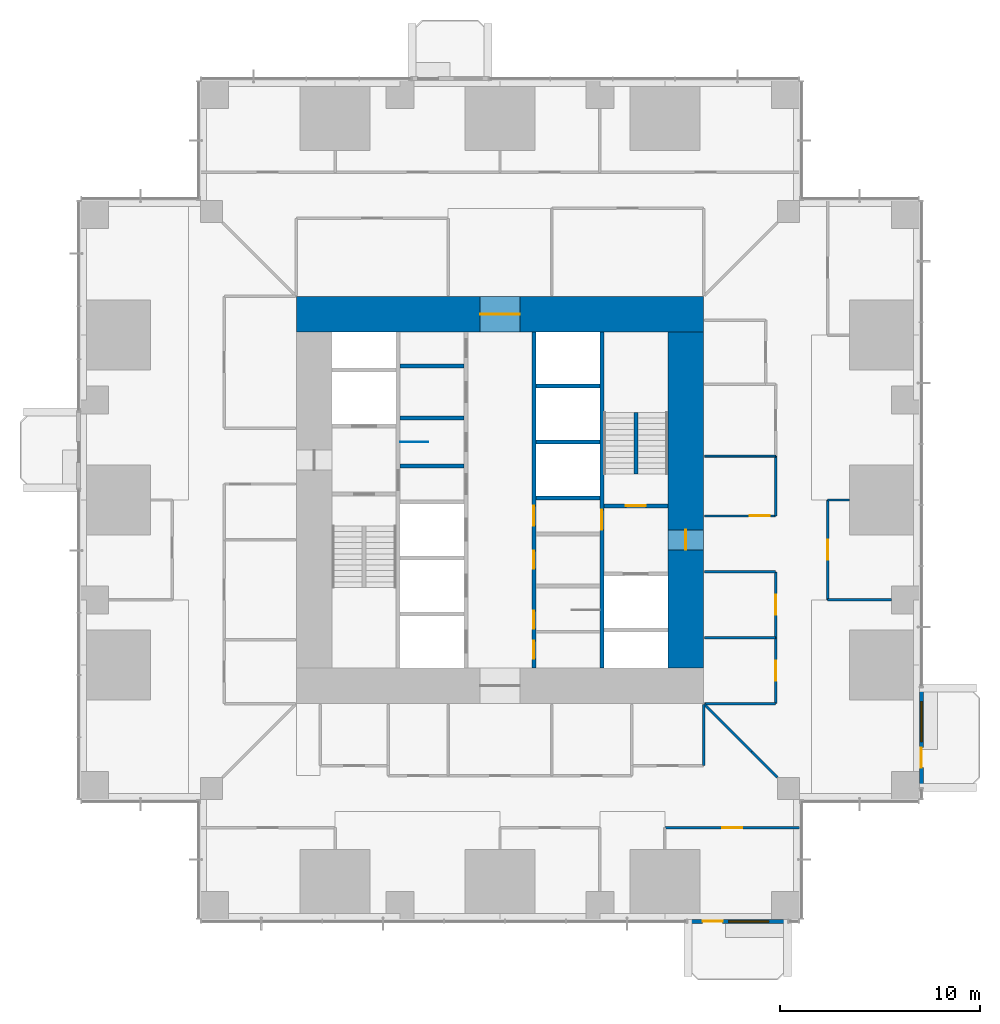
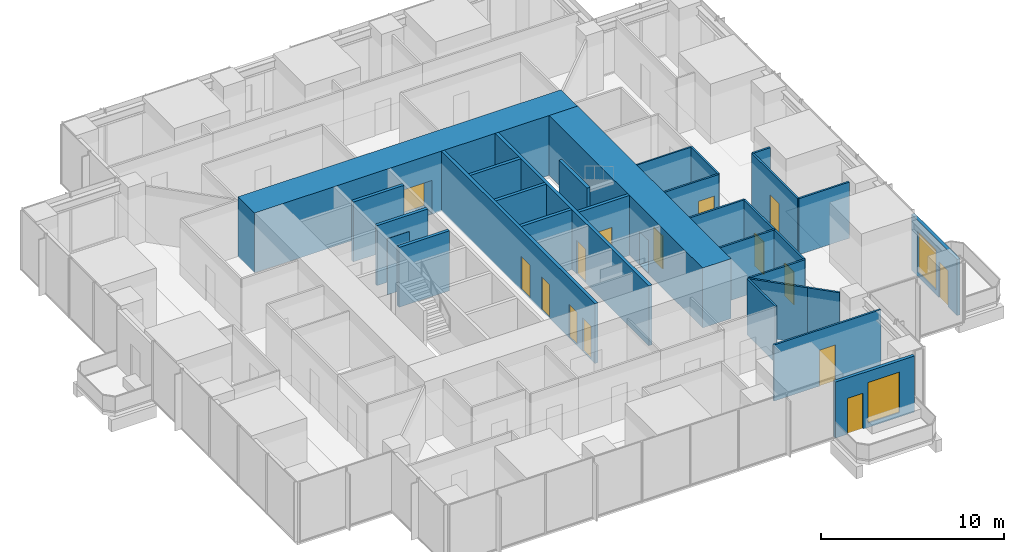
# One storey, part 11 of 16: 30 walls, 15 doors, 2 windows, 17 openings.
"""IFC4 building model written with IfcOpenShell, lengths in metres."""

from ifc_helpers import new_model, si_unit, direction, frame, frame_2d, origin, place, context, subcontext, project, spatial, rectangle, extrude, material, layer, layer_set, type_object, element, fill, save


model = new_model("IFC4")

# Units and contexts
model_context = context("Model", 3, precision=1e-05, world=origin(), true_north=direction((0.0, 1.0)))
body_context = subcontext(model_context, "Body", "Model", "MODEL_VIEW")
ifc_project = project(units=[si_unit("LENGTHUNIT", "METRE"), si_unit("AREAUNIT", "SQUARE_METRE"), si_unit("VOLUMEUNIT", "CUBIC_METRE"), si_unit("PLANEANGLEUNIT", "RADIAN"), si_unit("MASSUNIT", "GRAM", prefix="KILO")], contexts=[model_context])

# Site, building, storey
site_placement = place(None, origin())
site = spatial("IfcSite", under=ifc_project, at=site_placement, CompositionType="ELEMENT")
building_placement = place(site_placement, origin())
building = spatial("IfcBuilding", under=site, at=building_placement, Name="Svetlomir Tower", CompositionType="ELEMENT")
storey_placement = place(building_placement, frame((0.0, 0.0, 50.5)))
storey = spatial("IfcBuildingStorey", under=building, at=storey_placement, Name="L11", CompositionType="ELEMENT", Elevation=50.5)

# Wall, openings, door, window
ifc_material_1 = material(Name="Bronze anodised aluminium glazed screen", Category="aluminium")
ifc_layer_1 = layer(ifc_material_1, 0.199951171875)
ifc_layer_set_1 = layer_set([ifc_layer_1], Name="Bronze anodised aluminium glazed screen")
wall_type_1 = type_object("IfcWallType", Name="BALCONY SCREEN WALL 200", PredefinedType="USERDEFINED", material=ifc_layer_set_1)
wall_1_placement = place(storey_placement, frame((30.39990234375, -0.10009765625, 0.0), z_axis=(0.0, 0.0, 1.0), x_axis=(1.0, 0.0, 0.0)))
wall_1 = element("IfcWall", 1, at=wall_1_placement, inside=storey, type_object=wall_type_1, Name="Balcony screen S", ObjectType="GLAZED SCREEN", PredefinedType="USERDEFINED", context=body_context, shape_type="SweptSolid", body=[
    extrude(rectangle(XDim=5.0, YDim=0.199951171875, at=frame_2d((2.5, 0.0))), origin(), (0.0, 0.0, 1.0), 3.75),
])
opening_1_placement = place(wall_1_placement, frame((0.75, 0.0, 0.0)))
opening_1 = element("IfcOpeningElement", 2, at=opening_1_placement, cuts=wall_1, Name="Opening BD", PredefinedType="OPENING", context=body_context, shape_type="SweptSolid", body=[
    extrude(rectangle(XDim=1.0, YDim=2.39990234375, at=frame_2d((0.5, 1.199951171875))), frame((0.0, 0.10986328125, 0.0), z_axis=(0.0, -1.0, 0.0), x_axis=(1.0, 0.0, 0.0)), (0.0, 0.0, 1.0), 0.219970703125),
])
opening_2_placement = place(wall_1_placement, frame((2.050048828125, 0.0, 0.300048828125)))
opening_2 = element("IfcOpeningElement", 3, at=opening_2_placement, cuts=wall_1, Name="Opening WS", PredefinedType="OPENING", context=body_context, shape_type="SweptSolid", body=[
    extrude(rectangle(XDim=2.0, YDim=2.699951171875, at=frame_2d((1.0, 1.35009765625))), frame((0.0, 0.10986328125, 0.0), z_axis=(0.0, -1.0, 0.0), x_axis=(1.0, 0.0, 0.0)), (0.0, 0.0, 1.0), 0.219970703125),
])
ifc_material_2 = material(Name="Bronze anodised aluminium glazed door", Category="aluminium")
door_type_1 = type_object("IfcDoorType", Name="BALCONY DOOR BD 1000x2400", OperationType="SINGLE_SWING_LEFT", PredefinedType="DOOR", material=ifc_material_2)
door_1_placement = place(opening_1_placement, origin())
door_1 = element("IfcDoor", 4, at=door_1_placement, inside=storey, type_object=door_type_1, Name="Balcony screen S door", OperationType="SINGLE_SWING_LEFT", OverallHeight=2.39990234375, OverallWidth=1.0, PredefinedType="DOOR", context=body_context, shape_type="SweptSolid", body=[
    extrude(rectangle(XDim=1.0, YDim=2.39990234375, at=frame_2d((0.5, 1.199951171875))), frame((0.0, 0.02490234375, 0.0), z_axis=(0.0, -1.0, 0.0), x_axis=(1.0, 0.0, 0.0)), (0.0, 0.0, 1.0), 0.050048828125),
])
fill(opening_1, door_1)
ifc_material_3 = material(Name="Bronze anodised aluminium window", Category="aluminium")
window_type = type_object("IfcWindowType", Name="SCREEN WINDOW WS 2000x2700", PartitioningType="SINGLE_PANEL", PredefinedType="WINDOW", material=ifc_material_3)
window_1_placement = place(opening_2_placement, origin())
window_1 = element("IfcWindow", 5, at=window_1_placement, inside=storey, type_object=window_type, Name="Balcony screen S window 1", OverallHeight=2.699951171875, OverallWidth=2.0, PartitioningType="SINGLE_PANEL", PredefinedType="WINDOW", context=body_context, shape_type="SweptSolid", body=[
    extrude(rectangle(XDim=2.0, YDim=2.699951171875, at=frame_2d((1.0, 1.35009765625))), frame((0.0, 0.030029296875, 0.0), z_axis=(0.0, -1.0, 0.0), x_axis=(1.0, 0.0, 0.0)), (0.0, 0.0, 1.0), 0.06005859375),
])
fill(opening_2, window_1)

wall_2_placement = place(storey_placement, frame((42.10009765625, 6.60009765625, 0.0), z_axis=(0.0, 0.0, 1.0), x_axis=(0.0, 1.0, 0.0)))
wall_2 = element("IfcWall", 6, at=wall_2_placement, inside=storey, type_object=wall_type_1, Name="Balcony screen E", ObjectType="GLAZED SCREEN", PredefinedType="USERDEFINED", context=body_context, shape_type="SweptSolid", body=[
    extrude(rectangle(XDim=5.0, YDim=0.199951171875, at=frame_2d((2.5, 0.0))), origin(), (0.0, 0.0, 1.0), 3.75),
])
opening_3_placement = place(wall_2_placement, frame((1.0, 0.0, 0.0)))
opening_3 = element("IfcOpeningElement", 7, at=opening_3_placement, cuts=wall_2, Name="Opening BD", PredefinedType="OPENING", context=body_context, shape_type="SweptSolid", body=[
    extrude(rectangle(XDim=1.0, YDim=2.39990234375, at=frame_2d((0.5, 1.199951171875))), frame((0.0, 0.10986328125, 0.0), z_axis=(0.0, -1.0, 0.0), x_axis=(1.0, 0.0, 0.0)), (0.0, 0.0, 1.0), 0.219970703125),
])
opening_4_placement = place(wall_2_placement, frame((2.300048828125, 0.0, 0.300048828125)))
opening_4 = element("IfcOpeningElement", 8, at=opening_4_placement, cuts=wall_2, Name="Opening WS", PredefinedType="OPENING", context=body_context, shape_type="SweptSolid", body=[
    extrude(rectangle(XDim=2.0, YDim=2.699951171875, at=frame_2d((1.0, 1.35009765625))), frame((0.0, 0.10986328125, 0.0), z_axis=(0.0, -1.0, 0.0), x_axis=(1.0, 0.0, 0.0)), (0.0, 0.0, 1.0), 0.219970703125),
])
door_2_placement = place(opening_3_placement, origin())
door_2 = element("IfcDoor", 9, at=door_2_placement, inside=storey, type_object=door_type_1, Name="Balcony screen E door", OperationType="SINGLE_SWING_LEFT", OverallHeight=2.39990234375, OverallWidth=1.0, PredefinedType="DOOR", context=body_context, shape_type="SweptSolid", body=[
    extrude(rectangle(XDim=1.0, YDim=2.39990234375, at=frame_2d((0.5, 1.199951171875))), frame((0.0, 0.02490234375, 0.0), z_axis=(0.0, -1.0, 0.0), x_axis=(1.0, 0.0, 0.0)), (0.0, 0.0, 1.0), 0.050048828125),
])
fill(opening_3, door_2)
window_2_placement = place(opening_4_placement, origin())
window_2 = element("IfcWindow", 10, at=window_2_placement, inside=storey, type_object=window_type, Name="Balcony screen E window 1", OverallHeight=2.699951171875, OverallWidth=2.0, PartitioningType="SINGLE_PANEL", PredefinedType="WINDOW", context=body_context, shape_type="SweptSolid", body=[
    extrude(rectangle(XDim=2.0, YDim=2.699951171875, at=frame_2d((1.0, 1.35009765625))), frame((0.0, 0.030029296875, 0.0), z_axis=(0.0, -1.0, 0.0), x_axis=(1.0, 0.0, 0.0)), (0.0, 0.0, 1.0), 0.06005859375),
])
fill(opening_4, window_2)

# Wall, openings, doors
ifc_material_4 = material(Name="Concrete C60/75", Category="concrete")
ifc_layer_2 = layer(ifc_material_4, 0.199951171875)
ifc_layer_set_2 = layer_set([ifc_layer_2], Name="Concrete C60/75")
wall_type_2 = type_object("IfcWallType", Name="CORE INNER WALL 200", PredefinedType="SHEAR", material=ifc_layer_set_2)
wall_3_placement = place(storey_placement, frame((22.699951171875, 12.60009765625, -0.050048828125), z_axis=(0.0, 0.0, 1.0), x_axis=(0.0, 1.0, 0.0)))
wall_3 = element("IfcWall", 11, at=wall_3_placement, inside=storey, type_object=wall_type_2, Name="Core inner wall 22.7 L11", PredefinedType="SHEAR", context=body_context, shape_type="SweptSolid", body=[
    extrude(rectangle(XDim=16.7998046875, YDim=0.199951171875, at=frame_2d((8.39990234375, 0.0))), origin(), (0.0, 0.0, 1.0), 4.0),
])
opening_5_placement = place(wall_3_placement, frame((0.449951171875, 0.0, 0.050048828125)))
opening_5 = element("IfcOpeningElement", 12, at=opening_5_placement, cuts=wall_3, Name="Opening DW", PredefinedType="OPENING", context=body_context, shape_type="SweptSolid", body=[
    extrude(rectangle(XDim=0.89990234375, YDim=2.199951171875, at=frame_2d((0.449951171875, 1.10009765625))), frame((0.0, 0.10986328125, 0.0), z_axis=(0.0, -1.0, 0.0), x_axis=(1.0, 0.0, 0.0)), (0.0, 0.0, 1.0), 0.219970703125),
])
opening_6_placement = place(wall_3_placement, frame((7.10009765625, 0.0, 0.050048828125)))
opening_6 = element("IfcOpeningElement", 13, at=opening_6_placement, cuts=wall_3, Name="Opening DC", PredefinedType="OPENING", context=body_context, shape_type="SweptSolid", body=[
    extrude(rectangle(XDim=1.0, YDim=2.199951171875, at=frame_2d((0.5, 1.10009765625))), frame((0.0, 0.10986328125, 0.0), z_axis=(0.0, -1.0, 0.0), x_axis=(1.0, 0.0, 0.0)), (0.0, 0.0, 1.0), 0.219970703125),
])
opening_7_placement = place(wall_3_placement, frame((1.949951171875, 0.0, 0.050048828125)))
opening_7 = element("IfcOpeningElement", 14, at=opening_7_placement, cuts=wall_3, Name="Opening DW", PredefinedType="OPENING", context=body_context, shape_type="SweptSolid", body=[
    extrude(rectangle(XDim=0.89990234375, YDim=2.199951171875, at=frame_2d((0.449951171875, 1.10009765625))), frame((0.0, 0.10986328125, 0.0), z_axis=(0.0, -1.0, 0.0), x_axis=(1.0, 0.0, 0.0)), (0.0, 0.0, 1.0), 0.219970703125),
])
opening_8_placement = place(wall_3_placement, frame((4.949951171875, 0.0, 0.050048828125)))
opening_8 = element("IfcOpeningElement", 15, at=opening_8_placement, cuts=wall_3, Name="Opening DW", PredefinedType="OPENING", context=body_context, shape_type="SweptSolid", body=[
    extrude(rectangle(XDim=0.89990234375, YDim=2.199951171875, at=frame_2d((0.449951171875, 1.10009765625))), frame((0.0, 0.10986328125, 0.0), z_axis=(0.0, -1.0, 0.0), x_axis=(1.0, 0.0, 0.0)), (0.0, 0.0, 1.0), 0.219970703125),
])
ifc_material_5 = material(Name="Timber fire door", Category="wood")
door_type_2 = type_object("IfcDoorType", Name="DOOR DC 1000x2200", OperationType="SINGLE_SWING_LEFT", PredefinedType="DOOR", material=ifc_material_5)
door_3_placement = place(opening_6_placement, origin())
door_3 = element("IfcDoor", 16, at=door_3_placement, inside=storey, type_object=door_type_2, Name="Core corridor east lobby door L11", OperationType="SINGLE_SWING_LEFT", OverallHeight=2.199951171875, OverallWidth=1.0, PredefinedType="DOOR", context=body_context, shape_type="SweptSolid", body=[
    extrude(rectangle(XDim=1.0, YDim=2.199951171875, at=frame_2d((0.5, 1.10009765625))), frame((0.0, 0.02490234375, 0.0), z_axis=(0.0, -1.0, 0.0), x_axis=(1.0, 0.0, 0.0)), (0.0, 0.0, 1.0), 0.050048828125),
])
fill(opening_6, door_3)
ifc_material_6 = material(Name="Timber fire door", Category="wood")
door_type_3 = type_object("IfcDoorType", Name="DOOR DW 900x2200", OperationType="SINGLE_SWING_LEFT", PredefinedType="DOOR", material=ifc_material_6)
door_4_placement = place(opening_5_placement, origin())
door_4 = element("IfcDoor", 17, at=door_4_placement, inside=storey, type_object=door_type_3, Name="Floor store door L11", OperationType="SINGLE_SWING_LEFT", OverallHeight=2.199951171875, OverallWidth=0.89990234375, PredefinedType="DOOR", context=body_context, shape_type="SweptSolid", body=[
    extrude(rectangle(XDim=0.89990234375, YDim=2.199951171875, at=frame_2d((0.449951171875, 1.10009765625))), frame((0.0, 0.02490234375, 0.0), z_axis=(0.0, -1.0, 0.0), x_axis=(1.0, 0.0, 0.0)), (0.0, 0.0, 1.0), 0.050048828125),
])
fill(opening_5, door_4)
door_5_placement = place(opening_7_placement, origin())
door_5 = element("IfcDoor", 18, at=door_5_placement, inside=storey, type_object=door_type_3, Name="Male WC door L11", OperationType="SINGLE_SWING_LEFT", OverallHeight=2.199951171875, OverallWidth=0.89990234375, PredefinedType="DOOR", context=body_context, shape_type="SweptSolid", body=[
    extrude(rectangle(XDim=0.89990234375, YDim=2.199951171875, at=frame_2d((0.449951171875, 1.10009765625))), frame((0.0, 0.02490234375, 0.0), z_axis=(0.0, -1.0, 0.0), x_axis=(1.0, 0.0, 0.0)), (0.0, 0.0, 1.0), 0.050048828125),
])
fill(opening_7, door_5)
door_6_placement = place(opening_8_placement, origin())
door_6 = element("IfcDoor", 19, at=door_6_placement, inside=storey, type_object=door_type_3, Name="Comms room door L11", OperationType="SINGLE_SWING_RIGHT", OverallHeight=2.199951171875, OverallWidth=0.89990234375, PredefinedType="DOOR", context=body_context, shape_type="SweptSolid", body=[
    extrude(rectangle(XDim=0.89990234375, YDim=2.199951171875, at=frame_2d((0.449951171875, 1.10009765625))), frame((0.0, 0.02490234375, 0.0), z_axis=(0.0, -1.0, 0.0), x_axis=(1.0, 0.0, 0.0)), (0.0, 0.0, 1.0), 0.050048828125),
])
fill(opening_8, door_6)

# Wall, opening, door
wall_4_placement = place(storey_placement, frame((26.10009765625, 12.60009765625, -0.050048828125), z_axis=(0.0, 0.0, 1.0), x_axis=(0.0, 1.0, 0.0)))
wall_4 = element("IfcWall", 20, at=wall_4_placement, inside=storey, type_object=wall_type_2, Name="Core inner wall 26.1 L11", PredefinedType="SHEAR", context=body_context, shape_type="SweptSolid", body=[
    extrude(rectangle(XDim=16.7998046875, YDim=0.199951171875, at=frame_2d((8.39990234375, 0.0))), origin(), (0.0, 0.0, 1.0), 4.0),
])
opening_9_placement = place(wall_4_placement, frame((6.89990234375, 0.0, 0.050048828125)))
opening_9 = element("IfcOpeningElement", 21, at=opening_9_placement, cuts=wall_4, Name="Opening DF", PredefinedType="OPENING", context=body_context, shape_type="SweptSolid", body=[
    extrude(rectangle(XDim=1.0, YDim=2.199951171875, at=frame_2d((0.5, 1.10009765625))), frame((0.0, 0.10986328125, 0.0), z_axis=(0.0, -1.0, 0.0), x_axis=(1.0, 0.0, 0.0)), (0.0, 0.0, 1.0), 0.219970703125),
])
ifc_material_7 = material(Name="Steel fire door", Category="steel")
door_type_4 = type_object("IfcDoorType", Name="DOOR DF 1000x2200", OperationType="SINGLE_SWING_LEFT", PredefinedType="DOOR", material=ifc_material_7)
door_7_placement = place(opening_9_placement, origin())
door_7 = element("IfcDoor", 22, at=door_7_placement, inside=storey, type_object=door_type_4, Name="Core corridor east door L11", OperationType="SINGLE_SWING_LEFT", OverallHeight=2.199951171875, OverallWidth=1.0, PredefinedType="DOOR", context=body_context, shape_type="SweptSolid", body=[
    extrude(rectangle(XDim=1.0, YDim=2.199951171875, at=frame_2d((0.5, 1.10009765625))), frame((0.0, 0.02490234375, 0.0), z_axis=(0.0, -1.0, 0.0), x_axis=(1.0, 0.0, 0.0)), (0.0, 0.0, 1.0), 0.050048828125),
])
fill(opening_9, door_7)

# Walls
for number, where, z_axis, x_axis, name in (
    (23, (16.0, 22.699951171875, -0.050048828125), (0.0, 0.0, 1.0), (1.0, 0.0, 0.0), "Core inner wall 16-19.2/22.7 L11"),
    (24, (16.0, 25.10009765625, -0.050048828125), (0.0, 0.0, 1.0), (1.0, 0.0, 0.0), "Core inner wall 16-19.2/25.1 L11"),
    (25, (16.0, 27.699951171875, -0.050048828125), (0.0, 0.0, 1.0), (1.0, 0.0, 0.0), "Core inner wall 16-19.2/27.7 L11"),
    (26, (22.800048828125, 21.10009765625, -0.050048828125), (0.0, 0.0, 1.0), (1.0, 0.0, 0.0), "Core inner wall 22.8-26/21.1 L11"),
    (27, (22.800048828125, 23.89990234375, -0.050048828125), (0.0, 0.0, 1.0), (1.0, 0.0, 0.0), "Core inner wall 22.8-26/23.9 L11"),
    (28, (22.800048828125, 26.699951171875, -0.050048828125), (0.0, 0.0, 1.0), (1.0, 0.0, 0.0), "Core inner wall 22.8-26/26.7 L11"),
):
    element("IfcWall", number, at=place(storey_placement, frame(where, z_axis=z_axis, x_axis=x_axis)), inside=storey, type_object=wall_type_2, Name=name, PredefinedType="SHEAR", context=body_context, shape_type="SweptSolid", body=[
        extrude(rectangle(XDim=3.199951171875, YDim=0.199951171875, at=frame_2d((1.60009765625, 0.0))), origin(), (0.0, 0.0, 1.0), 4.0),
    ])

# Wall, opening, door
wall_5_placement = place(storey_placement, frame((26.199951171875, 20.699951171875, -0.050048828125), z_axis=(0.0, 0.0, 1.0), x_axis=(1.0, 0.0, 0.0)))
wall_5 = element("IfcWall", 29, at=wall_5_placement, inside=storey, type_object=wall_type_2, Name="Core inner wall 26.2-29.4/20.7 L11", PredefinedType="SHEAR", context=body_context, shape_type="SweptSolid", body=[
    extrude(rectangle(XDim=3.199951171875, YDim=0.199951171875, at=frame_2d((1.60009765625, 0.0))), origin(), (0.0, 0.0, 1.0), 4.0),
])
opening_10_placement = place(wall_5_placement, frame((1.10009765625, 0.0, 0.050048828125)))
opening_10 = element("IfcOpeningElement", 30, at=opening_10_placement, cuts=wall_5, Name="Opening DF", PredefinedType="OPENING", context=body_context, shape_type="SweptSolid", body=[
    extrude(rectangle(XDim=1.0, YDim=2.199951171875, at=frame_2d((0.5, 1.10009765625))), frame((0.0, 0.10986328125, 0.0), z_axis=(0.0, -1.0, 0.0), x_axis=(1.0, 0.0, 0.0)), (0.0, 0.0, 1.0), 0.219970703125),
])
door_8_placement = place(opening_10_placement, origin())
door_8 = element("IfcDoor", 31, at=door_8_placement, inside=storey, type_object=door_type_4, Name="Stair S2 door L11", OperationType="SINGLE_SWING_LEFT", OverallHeight=2.199951171875, OverallWidth=1.0, PredefinedType="DOOR", context=body_context, shape_type="SweptSolid", body=[
    extrude(rectangle(XDim=1.0, YDim=2.199951171875, at=frame_2d((0.5, 1.10009765625))), frame((0.0, 0.02490234375, 0.0), z_axis=(0.0, -1.0, 0.0), x_axis=(1.0, 0.0, 0.0)), (0.0, 0.0, 1.0), 0.050048828125),
])
fill(opening_10, door_8)

ifc_material_8 = material(Name="Concrete C60/75", Category="concrete")
ifc_layer_3 = layer(ifc_material_8, 1.800048828125)
ifc_layer_set_3 = layer_set([ifc_layer_3], Name="Concrete C60/75")
wall_type_3 = type_object("IfcWallType", Name="CORE WALL 1800", PredefinedType="SHEAR", material=ifc_layer_set_3)
wall_6_placement = place(storey_placement, frame((10.800048828125, 30.300048828125, -0.050048828125), z_axis=(0.0, 0.0, 1.0), x_axis=(1.0, 0.0, 0.0)))
wall_6 = element("IfcWall", 32, at=wall_6_placement, inside=storey, type_object=wall_type_3, Name="Core wall north L11", PredefinedType="SHEAR", context=body_context, shape_type="SweptSolid", body=[
    extrude(rectangle(XDim=20.39990234375, YDim=1.800048828125, at=frame_2d((10.199951171875, 0.0))), origin(), (0.0, 0.0, 1.0), 4.0),
])
opening_11_placement = place(wall_6_placement, frame((9.199951171875, 0.0, 0.050048828125)))
opening_11 = element("IfcOpeningElement", 33, at=opening_11_placement, cuts=wall_6, Name="Opening DL", PredefinedType="OPENING", context=body_context, shape_type="SweptSolid", body=[
    extrude(rectangle(XDim=2.0, YDim=2.199951171875, at=frame_2d((1.0, 1.10009765625))), frame((0.0, 0.91015625, 0.0), z_axis=(0.0, -1.0, 0.0), x_axis=(1.0, 0.0, 0.0)), (0.0, 0.0, 1.0), 1.820068359375),
])
ifc_material_9 = material(Name="Steel fire door", Category="steel")
door_type_5 = type_object("IfcDoorType", Name="DOOR DL 2000x2200", OperationType="DOUBLE_DOOR_SINGLE_SWING", PredefinedType="DOOR", material=ifc_material_9)
door_9_placement = place(opening_11_placement, origin())
door_9 = element("IfcDoor", 34, at=door_9_placement, inside=storey, type_object=door_type_5, Name="Lift lobby north door L11", OperationType="DOUBLE_DOOR_SINGLE_SWING", OverallHeight=2.199951171875, OverallWidth=2.0, PredefinedType="DOOR", context=body_context, shape_type="SweptSolid", body=[
    extrude(rectangle(XDim=2.0, YDim=2.199951171875, at=frame_2d((1.0, 1.10009765625))), frame((0.0, 0.02490234375, 0.0), z_axis=(0.0, -1.0, 0.0), x_axis=(1.0, 0.0, 0.0)), (0.0, 0.0, 1.0), 0.050048828125),
])
fill(opening_11, door_9)

wall_7_placement = place(storey_placement, frame((30.300048828125, 12.60009765625, -0.050048828125), z_axis=(0.0, 0.0, 1.0), x_axis=(0.0, 1.0, 0.0)))
wall_7 = element("IfcWall", 35, at=wall_7_placement, inside=storey, type_object=wall_type_3, Name="Core wall east L11", PredefinedType="SHEAR", context=body_context, shape_type="SweptSolid", body=[
    extrude(rectangle(XDim=16.7998046875, YDim=1.800048828125, at=frame_2d((8.39990234375, 0.0))), origin(), (0.0, 0.0, 1.0), 4.0),
])
opening_12_placement = place(wall_7_placement, frame((5.89990234375, 0.0, 0.050048828125)))
opening_12 = element("IfcOpeningElement", 36, at=opening_12_placement, cuts=wall_7, Name="Opening DF", PredefinedType="OPENING", context=body_context, shape_type="SweptSolid", body=[
    extrude(rectangle(XDim=1.0, YDim=2.199951171875, at=frame_2d((0.5, 1.10009765625))), frame((0.0, 0.91015625, 0.0), z_axis=(0.0, -1.0, 0.0), x_axis=(1.0, 0.0, 0.0)), (0.0, 0.0, 1.0), 1.820068359375),
])
door_10_placement = place(opening_12_placement, origin())
door_10 = element("IfcDoor", 37, at=door_10_placement, inside=storey, type_object=door_type_4, Name="Firefighting lobby east door L11", OperationType="SINGLE_SWING_LEFT", OverallHeight=2.199951171875, OverallWidth=1.0, PredefinedType="DOOR", context=body_context, shape_type="SweptSolid", body=[
    extrude(rectangle(XDim=1.0, YDim=2.199951171875, at=frame_2d((0.5, 1.10009765625))), frame((0.0, 0.02490234375, 0.0), z_axis=(0.0, -1.0, 0.0), x_axis=(1.0, 0.0, 0.0)), (0.0, 0.0, 1.0), 0.050048828125),
])
fill(opening_12, door_10)

# Wall
ifc_material_10 = material(Name="Framed laminated glass partition", Category="glass")
ifc_layer_4 = layer(ifc_material_10, 0.10009765625)
ifc_layer_set_4 = layer_set([ifc_layer_4], Name="Framed laminated glass partition")
wall_type_4 = type_object("IfcWallType", Name="GLAZED PARTITION 100", PredefinedType="PARTITIONING", material=ifc_layer_set_4)
wall_8_placement = place(storey_placement, frame((31.25, 23.199951171875, 0.0), z_axis=(0.0, 0.0, 1.0), x_axis=(1.0, 0.0, 0.0)))
element("IfcWall", 38, at=wall_8_placement, inside=storey, type_object=wall_type_4, Name="Glazed partition L11", PredefinedType="PARTITIONING", context=body_context, shape_type="SweptSolid", body=[
    extrude(rectangle(XDim=3.550048828125, YDim=0.10009765625, at=frame_2d((1.77490234375, 0.0))), origin(), (0.0, 0.0, 1.0), 3.75),
])

# Wall, opening, door
ifc_material_11 = material(Name="Gypsum board on steel studs", Category="steel")
ifc_layer_5 = layer(ifc_material_11, 0.1201171875)
ifc_layer_set_5 = layer_set([ifc_layer_5], Name="Gypsum board on steel studs")
wall_type_5 = type_object("IfcWallType", Name="PARTITION 120", PredefinedType="PARTITIONING", material=ifc_layer_set_5)
wall_9_placement = place(storey_placement, frame((29.25, 4.60009765625, 0.0), z_axis=(0.0, 0.0, 1.0), x_axis=(1.0, 0.0, 0.0)))
wall_9 = element("IfcWall", 39, at=wall_9_placement, inside=storey, type_object=wall_type_5, Name="Partition L11", PredefinedType="PARTITIONING", context=body_context, shape_type="SweptSolid", body=[
    extrude(rectangle(XDim=6.75, YDim=0.1201171875, at=frame_2d((3.375, 0.0))), origin(), (0.0, 0.0, 1.0), 3.75),
])
opening_13_placement = place(wall_9_placement, frame((2.875, 0.0, 0.0)))
opening_13 = element("IfcOpeningElement", 40, at=opening_13_placement, cuts=wall_9, Name="Opening DG", PredefinedType="OPENING", context=body_context, shape_type="SweptSolid", body=[
    extrude(rectangle(XDim=1.0, YDim=2.39990234375, at=frame_2d((0.5, 1.199951171875))), frame((0.0, 0.070068359375, 0.0), z_axis=(0.0, -1.0, 0.0), x_axis=(1.0, 0.0, 0.0)), (0.0, 0.0, 1.0), 0.14013671875),
])
ifc_material_12 = material(Name="Framed laminated glass door", Category="glass")
door_type_6 = type_object("IfcDoorType", Name="GLAZED DOOR DG 1000x2400", OperationType="SINGLE_SWING_LEFT", PredefinedType="DOOR", material=ifc_material_12)
door_11_placement = place(opening_13_placement, origin())
door_11 = element("IfcDoor", 41, at=door_11_placement, inside=storey, type_object=door_type_6, Name="Break-out and kitchenette door L11", OperationType="SINGLE_SWING_LEFT", OverallHeight=2.39990234375, OverallWidth=1.0, PredefinedType="DOOR", context=body_context, shape_type="SweptSolid", body=[
    extrude(rectangle(XDim=1.0, YDim=2.39990234375, at=frame_2d((0.5, 1.199951171875))), frame((0.0, 0.02490234375, 0.0), z_axis=(0.0, -1.0, 0.0), x_axis=(1.0, 0.0, 0.0)), (0.0, 0.0, 1.0), 0.050048828125),
])
fill(opening_13, door_11)

# Walls
wall_10_placement = place(storey_placement, frame((31.199951171875, 7.699951171875, 0.0), z_axis=(0.0, 0.0, 1.0), x_axis=(0.0, 1.0, 0.0)))
element("IfcWall", 42, at=wall_10_placement, inside=storey, type_object=wall_type_5, Name="Partition L11", PredefinedType="PARTITIONING", context=body_context, shape_type="SweptSolid", body=[
    extrude(rectangle(XDim=3.050048828125, YDim=0.1201171875, at=frame_2d((1.52490234375, 0.0))), origin(), (0.0, 0.0, 1.0), 3.75),
])
wall_11_placement = place(storey_placement, frame((31.2353515625, 10.7646484375, 0.0), z_axis=(0.0, 0.0, 1.0), x_axis=(0.707106781187, -0.707106781187, 0.0)))
element("IfcWall", 43, at=wall_11_placement, inside=storey, type_object=wall_type_5, Name="Partition L11", PredefinedType="PARTITIONING", context=body_context, shape_type="SweptSolid", body=[
    extrude(rectangle(XDim=3.346435546875, YDim=0.1201171875, at=frame_2d((1.67333984375, 0.0))), origin(), (0.0, 0.0, 1.0), 3.75),
])
for number, where, z_axis, x_axis, name in (
    (44, (31.25, 10.800048828125, 0.0), (0.0, 0.0, 1.0), (1.0, 0.0, 0.0), "Partition L11"),
    (45, (31.25, 14.10009765625, 0.0), (0.0, 0.0, 1.0), (1.0, 0.0, 0.0), "Partition L11"),
    (46, (31.25, 17.39990234375, 0.0), (0.0, 0.0, 1.0), (1.0, 0.0, 0.0), "Partition L11"),
):
    element("IfcWall", number, at=place(storey_placement, frame(where, z_axis=z_axis, x_axis=x_axis)), inside=storey, type_object=wall_type_5, Name=name, PredefinedType="PARTITIONING", context=body_context, shape_type="SweptSolid", body=[
        extrude(rectangle(XDim=3.550048828125, YDim=0.1201171875, at=frame_2d((1.77490234375, 0.0))), origin(), (0.0, 0.0, 1.0), 3.75),
    ])

# Wall, opening, door
wall_12_placement = place(storey_placement, frame((31.25, 20.199951171875, 0.0), z_axis=(0.0, 0.0, 1.0), x_axis=(1.0, 0.0, 0.0)))
wall_12 = element("IfcWall", 47, at=wall_12_placement, inside=storey, type_object=wall_type_5, Name="Partition L11", PredefinedType="PARTITIONING", context=body_context, shape_type="SweptSolid", body=[
    extrude(rectangle(XDim=3.550048828125, YDim=0.1201171875, at=frame_2d((1.77490234375, 0.0))), origin(), (0.0, 0.0, 1.0), 3.75),
])
opening_14_placement = place(wall_12_placement, frame((2.25, 0.0, 0.0)))
opening_14 = element("IfcOpeningElement", 48, at=opening_14_placement, cuts=wall_12, Name="Opening DG", PredefinedType="OPENING", context=body_context, shape_type="SweptSolid", body=[
    extrude(rectangle(XDim=1.0, YDim=2.39990234375, at=frame_2d((0.5, 1.199951171875))), frame((0.0, 0.070068359375, 0.0), z_axis=(0.0, -1.0, 0.0), x_axis=(1.0, 0.0, 0.0)), (0.0, 0.0, 1.0), 0.14013671875),
])
door_12_placement = place(opening_14_placement, origin())
door_12 = element("IfcDoor", 49, at=door_12_placement, inside=storey, type_object=door_type_6, Name="Ring corridor 3 door 3 L11", OperationType="SINGLE_SWING_RIGHT", OverallHeight=2.39990234375, OverallWidth=1.0, PredefinedType="DOOR", context=body_context, shape_type="SweptSolid", body=[
    extrude(rectangle(XDim=1.0, YDim=2.39990234375, at=frame_2d((0.5, 1.199951171875))), frame((0.0, 0.02490234375, 0.0), z_axis=(0.0, -1.0, 0.0), x_axis=(1.0, 0.0, 0.0)), (0.0, 0.0, 1.0), 0.050048828125),
])
fill(opening_14, door_12)

# Wall
wall_13_placement = place(storey_placement, frame((33.6015625, 8.3984375, 0.0), z_axis=(0.0, 0.0, 1.0), x_axis=(0.707106781187, -0.707106781187, 0.0)))
element("IfcWall", 50, at=wall_13_placement, inside=storey, type_object=wall_type_5, Name="Partition L11", PredefinedType="PARTITIONING", context=body_context, shape_type="SweptSolid", body=[
    extrude(rectangle(XDim=1.822021484375, YDim=0.1201171875, at=frame_2d((0.9111328125, 0.0))), origin(), (0.0, 0.0, 1.0), 3.75),
])

# Wall, opening, door
wall_14_placement = place(storey_placement, frame((34.800048828125, 10.800048828125, 0.0), z_axis=(0.0, 0.0, 1.0), x_axis=(0.0, 1.0, 0.0)))
wall_14 = element("IfcWall", 51, at=wall_14_placement, inside=storey, type_object=wall_type_5, Name="Partition L11", PredefinedType="PARTITIONING", context=body_context, shape_type="SweptSolid", body=[
    extrude(rectangle(XDim=3.300048828125, YDim=0.1201171875, at=frame_2d((1.64990234375, 0.0))), origin(), (0.0, 0.0, 1.0), 3.75),
])
opening_15_placement = place(wall_14_placement, frame((1.14990234375, 0.0, 0.0)))
opening_15 = element("IfcOpeningElement", 52, at=opening_15_placement, cuts=wall_14, Name="Opening DR", PredefinedType="OPENING", context=body_context, shape_type="SweptSolid", body=[
    extrude(rectangle(XDim=1.0, YDim=2.199951171875, at=frame_2d((0.5, 1.10009765625))), frame((0.0, 0.070068359375, 0.0), z_axis=(0.0, -1.0, 0.0), x_axis=(1.0, 0.0, 0.0)), (0.0, 0.0, 1.0), 0.14013671875),
])
ifc_material_13 = material(Name="Timber door, glazed side light", Category="wood")
door_type_7 = type_object("IfcDoorType", Name="DOOR DR 1000x2200", OperationType="SINGLE_SWING_LEFT", PredefinedType="DOOR", material=ifc_material_13)
door_13_placement = place(opening_15_placement, origin())
door_13 = element("IfcDoor", 53, at=door_13_placement, inside=storey, type_object=door_type_7, Name="Team leader office door L11", OperationType="SINGLE_SWING_RIGHT", OverallHeight=2.199951171875, OverallWidth=1.0, PredefinedType="DOOR", context=body_context, shape_type="SweptSolid", body=[
    extrude(rectangle(XDim=1.0, YDim=2.199951171875, at=frame_2d((0.5, 1.10009765625))), frame((0.0, 0.02490234375, 0.0), z_axis=(0.0, -1.0, 0.0), x_axis=(1.0, 0.0, 0.0)), (0.0, 0.0, 1.0), 0.050048828125),
])
fill(opening_15, door_13)

wall_15_placement = place(storey_placement, frame((34.800048828125, 14.10009765625, 0.0), z_axis=(0.0, 0.0, 1.0), x_axis=(0.0, 1.0, 0.0)))
wall_15 = element("IfcWall", 54, at=wall_15_placement, inside=storey, type_object=wall_type_5, Name="Partition L11", PredefinedType="PARTITIONING", context=body_context, shape_type="SweptSolid", body=[
    extrude(rectangle(XDim=3.2998046875, YDim=0.1201171875, at=frame_2d((1.64990234375, 0.0))), origin(), (0.0, 0.0, 1.0), 3.75),
])
opening_16_placement = place(wall_15_placement, frame((1.14990234375, 0.0, 0.0)))
opening_16 = element("IfcOpeningElement", 55, at=opening_16_placement, cuts=wall_15, Name="Opening DR", PredefinedType="OPENING", context=body_context, shape_type="SweptSolid", body=[
    extrude(rectangle(XDim=1.0, YDim=2.199951171875, at=frame_2d((0.5, 1.10009765625))), frame((0.0, 0.070068359375, 0.0), z_axis=(0.0, -1.0, 0.0), x_axis=(1.0, 0.0, 0.0)), (0.0, 0.0, 1.0), 0.14013671875),
])
door_14_placement = place(opening_16_placement, origin())
door_14 = element("IfcDoor", 56, at=door_14_placement, inside=storey, type_object=door_type_7, Name="Section head office door L11", OperationType="SINGLE_SWING_LEFT", OverallHeight=2.199951171875, OverallWidth=1.0, PredefinedType="DOOR", context=body_context, shape_type="SweptSolid", body=[
    extrude(rectangle(XDim=1.0, YDim=2.199951171875, at=frame_2d((0.5, 1.10009765625))), frame((0.0, 0.02490234375, 0.0), z_axis=(0.0, -1.0, 0.0), x_axis=(1.0, 0.0, 0.0)), (0.0, 0.0, 1.0), 0.050048828125),
])
fill(opening_16, door_14)

# Wall
wall_16_placement = place(storey_placement, frame((34.800048828125, 20.199951171875, 0.0), z_axis=(0.0, 0.0, 1.0), x_axis=(0.0, 1.0, 0.0)))
element("IfcWall", 57, at=wall_16_placement, inside=storey, type_object=wall_type_5, Name="Partition L11", PredefinedType="PARTITIONING", context=body_context, shape_type="SweptSolid", body=[
    extrude(rectangle(XDim=3.0, YDim=0.1201171875, at=frame_2d((1.5, 0.0))), origin(), (0.0, 0.0, 1.0), 3.75),
])

# Wall, opening, door
wall_17_placement = place(storey_placement, frame((37.39990234375, 16.0, 0.0), z_axis=(0.0, 0.0, 1.0), x_axis=(0.0, 1.0, 0.0)))
wall_17 = element("IfcWall", 58, at=wall_17_placement, inside=storey, type_object=wall_type_5, Name="Partition L11", PredefinedType="PARTITIONING", context=body_context, shape_type="SweptSolid", body=[
    extrude(rectangle(XDim=5.0, YDim=0.1201171875, at=frame_2d((2.5, 0.0))), origin(), (0.0, 0.0, 1.0), 3.75),
])
opening_17_placement = place(wall_17_placement, frame((2.0, 0.0, 0.0)))
opening_17 = element("IfcOpeningElement", 59, at=opening_17_placement, cuts=wall_17, Name="Opening DR", PredefinedType="OPENING", context=body_context, shape_type="SweptSolid", body=[
    extrude(rectangle(XDim=1.0, YDim=2.199951171875, at=frame_2d((0.5, 1.10009765625))), frame((0.0, 0.070068359375, 0.0), z_axis=(0.0, -1.0, 0.0), x_axis=(1.0, 0.0, 0.0)), (0.0, 0.0, 1.0), 0.14013671875),
])
door_15_placement = place(opening_17_placement, origin())
door_15 = element("IfcDoor", 60, at=door_15_placement, inside=storey, type_object=door_type_7, Name="Data architecture office door L11", OperationType="SINGLE_SWING_RIGHT", OverallHeight=2.199951171875, OverallWidth=1.0, PredefinedType="DOOR", context=body_context, shape_type="SweptSolid", body=[
    extrude(rectangle(XDim=1.0, YDim=2.199951171875, at=frame_2d((0.5, 1.10009765625))), frame((0.0, 0.02490234375, 0.0), z_axis=(0.0, -1.0, 0.0), x_axis=(1.0, 0.0, 0.0)), (0.0, 0.0, 1.0), 0.050048828125),
])
fill(opening_17, door_15)

# Walls
wall_18_placement = place(storey_placement, frame((37.39990234375, 16.0, 0.0), z_axis=(0.0, 0.0, 1.0), x_axis=(1.0, 0.0, 0.0)))
element("IfcWall", 61, at=wall_18_placement, inside=storey, type_object=wall_type_5, Name="Partition L11", PredefinedType="PARTITIONING", context=body_context, shape_type="SweptSolid", body=[
    extrude(rectangle(XDim=3.190185546875, YDim=0.1201171875, at=frame_2d((1.59521484375, 0.0))), origin(), (0.0, 0.0, 1.0), 3.75),
])
wall_19_placement = place(storey_placement, frame((37.39990234375, 21.0, 0.0), z_axis=(0.0, 0.0, 1.0), x_axis=(1.0, 0.0, 0.0)))
element("IfcWall", 62, at=wall_19_placement, inside=storey, type_object=wall_type_5, Name="Partition L11", PredefinedType="PARTITIONING", context=body_context, shape_type="SweptSolid", body=[
    extrude(rectangle(XDim=1.090087890625, YDim=0.1201171875, at=frame_2d((0.544921875, 0.0))), origin(), (0.0, 0.0, 1.0), 3.75),
])
ifc_material_14 = material(Name="Concrete C60/75", Category="concrete")
ifc_layer_6 = layer(ifc_material_14, 0.199951171875)
ifc_layer_set_6 = layer_set([ifc_layer_6], Name="Concrete C60/75")
wall_type_6 = type_object("IfcWallType", Name="STAIR SPINE WALL 200", PredefinedType="PARTITIONING", material=ifc_layer_set_6)
wall_20_placement = place(storey_placement, frame((27.800048828125, 22.300048828125, 0.0), z_axis=(0.0, 0.0, 1.0), x_axis=(0.0, 1.0, 0.0)))
element("IfcWall", 63, at=wall_20_placement, inside=storey, type_object=wall_type_6, Name="Stair S2 spine wall L11", PredefinedType="PARTITIONING", context=body_context, shape_type="SweptSolid", body=[
    extrude(rectangle(XDim=3.079833984375, YDim=0.199951171875, at=frame_2d((1.5400390625, 0.0))), origin(), (0.0, 0.0, 1.0), 4.0),
])
ifc_material_15 = material(Name="Compact laminate panel", Category="plastic")
ifc_layer_7 = layer(ifc_material_15, 0.030029296875)
ifc_layer_set_7 = layer_set([ifc_layer_7], Name="Compact laminate panel")
wall_type_7 = type_object("IfcWallType", Name="WC CUBICLE PARTITION 30", PredefinedType="PARTITIONING", material=ifc_layer_set_7)
wall_21_placement = place(storey_placement, frame((16.0, 23.89990234375, 0.0), z_axis=(0.0, 0.0, 1.0), x_axis=(1.0, 0.0, 0.0)))
element("IfcWall", 64, at=wall_21_placement, inside=storey, type_object=wall_type_7, Name="WC cubicle partition L11", PredefinedType="PARTITIONING", context=body_context, shape_type="SweptSolid", body=[
    extrude(rectangle(XDim=1.39990234375, YDim=0.030029296875, at=frame_2d((0.699951171875, 0.0))), origin(), (0.0, 0.0, 1.0), 3.75),
])

save(model, "model.ifc")
